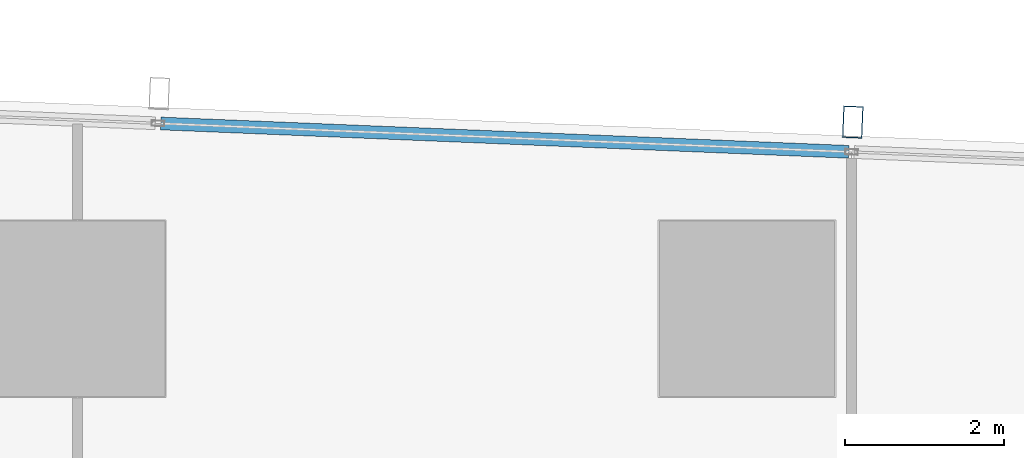
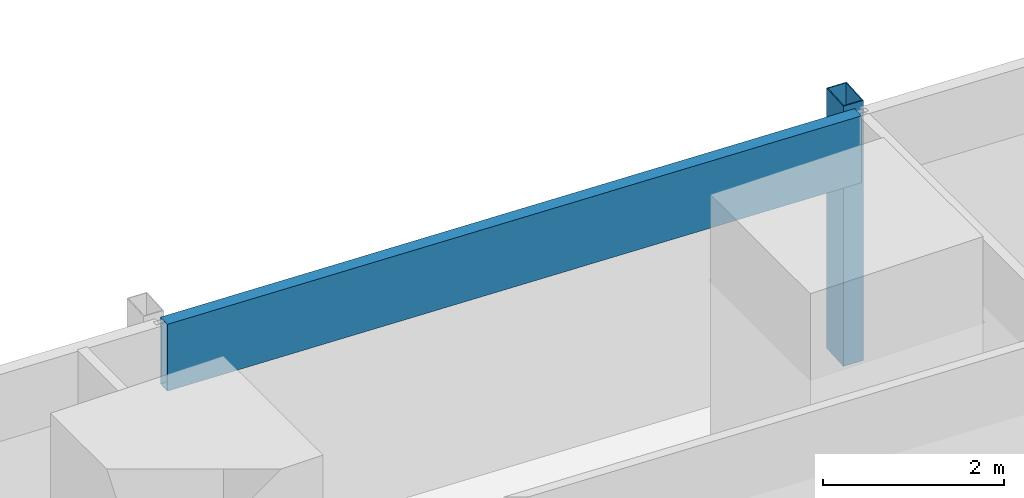
# One storey, part 22 of 42: 2 members, 1 element without a shape of its own.
"""IFC4 building model written with IfcOpenShell, lengths in metres."""

from ifc_helpers import new_model, si_unit, direction, frame, origin, origin_2d, place, context, subcontext, project, spatial, hollow_rectangle, extrude, material, material_profile, profile_set, type_object, element, aggregate, save


model = new_model("IFC4")

# Units and contexts
model_context = context("Model", 3, precision=1e-05, world=origin(), true_north=direction((0.0, 1.0)))
body_context = subcontext(model_context, "Body", "Model", "MODEL_VIEW")
ifc_project = project(units=[si_unit("LENGTHUNIT", "METRE"), si_unit("AREAUNIT", "SQUARE_METRE"), si_unit("VOLUMEUNIT", "CUBIC_METRE"), si_unit("PLANEANGLEUNIT", "RADIAN"), si_unit("MASSUNIT", "GRAM", prefix="KILO")], contexts=[model_context])

# Site, building, storey
site_placement = place(None, origin())
site = spatial("IfcSite", under=ifc_project, at=site_placement, CompositionType="ELEMENT")
building_placement = place(site_placement, origin())
building = spatial("IfcBuilding", under=site, at=building_placement, Name="Rekha Terrace Tower", CompositionType="ELEMENT")
storey_placement = place(building_placement, frame((0.0, 0.0, 55.39990234375)))
storey = spatial("IfcBuildingStorey", under=building, at=storey_placement, Name="L13", CompositionType="ELEMENT", Elevation=55.39990234375)

# Curtain wall, members
ifc_material_1 = material(Name="Aluminium framing", Category="aluminium")
curtain_wall_type = type_object("IfcCurtainWallType", Name="CW3 north unitised glazing", PredefinedType="USERDEFINED", material=ifc_material_1)
curtain_wall_placement = place(storey_placement, origin())
curtain_wall = element("IfcCurtainWall", 1, at=curtain_wall_placement, inside=storey, type_object=curtain_wall_type, Name="CW3 unitised curtain wall", ObjectType="UNITISED CURTAIN WALL", PredefinedType="USERDEFINED")
ifc_material_2 = material(Name="Steel S355 with fluorocarbon finish", Category="steel")
ifc_material_profile_1 = material_profile(ifc_material_2, hollow_rectangle(XDim=0.25, YDim=0.39990234375, WallThickness=0.012451171875, at=origin_2d()), Name="RHS400x250x12.5")
ifc_profile_set_1 = profile_set([ifc_material_profile_1], Name="Steel S355 with fluorocarbon finish")
member_type_1 = type_object("IfcMemberType", Name="BL1 facade blade RHS 400 x 250", PredefinedType="USERDEFINED", material=ifc_profile_set_1)
member_1_placement = place(storey_placement, frame((60.126953125, 61.140869140625, 0.0), z_axis=(0.0, 0.0, 1.0), x_axis=(-0.99915196507, 0.041174636562, 0.0)))
member_1 = element("IfcMember", 2, at=member_1_placement, type_object=member_type_1, Name="Facade blade", ObjectType="FACADE BLADE", PredefinedType="USERDEFINED", context=body_context, shape_type="SweptSolid", body=[
    extrude(hollow_rectangle(XDim=0.25, YDim=0.39990234375, WallThickness=0.012451171875, at=origin_2d()), origin(), (0.0, 0.0, 1.0), 3.5),
])
ifc_material_3 = material(Name="Insulated aluminium spandrel box", Category="aluminium")
ifc_material_profile_2 = material_profile(ifc_material_3, hollow_rectangle(XDim=0.159912109375, YDim=0.89990234375, WallThickness=0.0029296875, at=origin_2d()), Name="AL SPANDREL BOX 160x900")
ifc_profile_set_2 = profile_set([ifc_material_profile_2], Name="Insulated aluminium spandrel box")
member_type_2 = type_object("IfcMemberType", Name="CW3 spandrel transom 160 x 900", PredefinedType="USERDEFINED", material=ifc_profile_set_2)
member_2_placement = place(storey_placement, frame((60.07666015625, 60.767578125, 3.050048828125), z_axis=(-0.999152128669, 0.041170666459, 0.0), x_axis=(-0.041170666459, -0.999152128669, 0.0)))
member_2 = element("IfcMember", 3, at=member_2_placement, type_object=member_type_2, Name="CW3 spandrel transom 2", ObjectType="TRANSOM", PredefinedType="USERDEFINED", context=body_context, shape_type="SweptSolid", body=[
    extrude(hollow_rectangle(XDim=0.159912109375, YDim=0.89990234375, WallThickness=0.0029296875, at=origin_2d()), origin(), (0.0, 0.0, 1.0), 8.634033203125),
])
aggregate(curtain_wall, [member_2, member_1])

save(model, "model.ifc")
